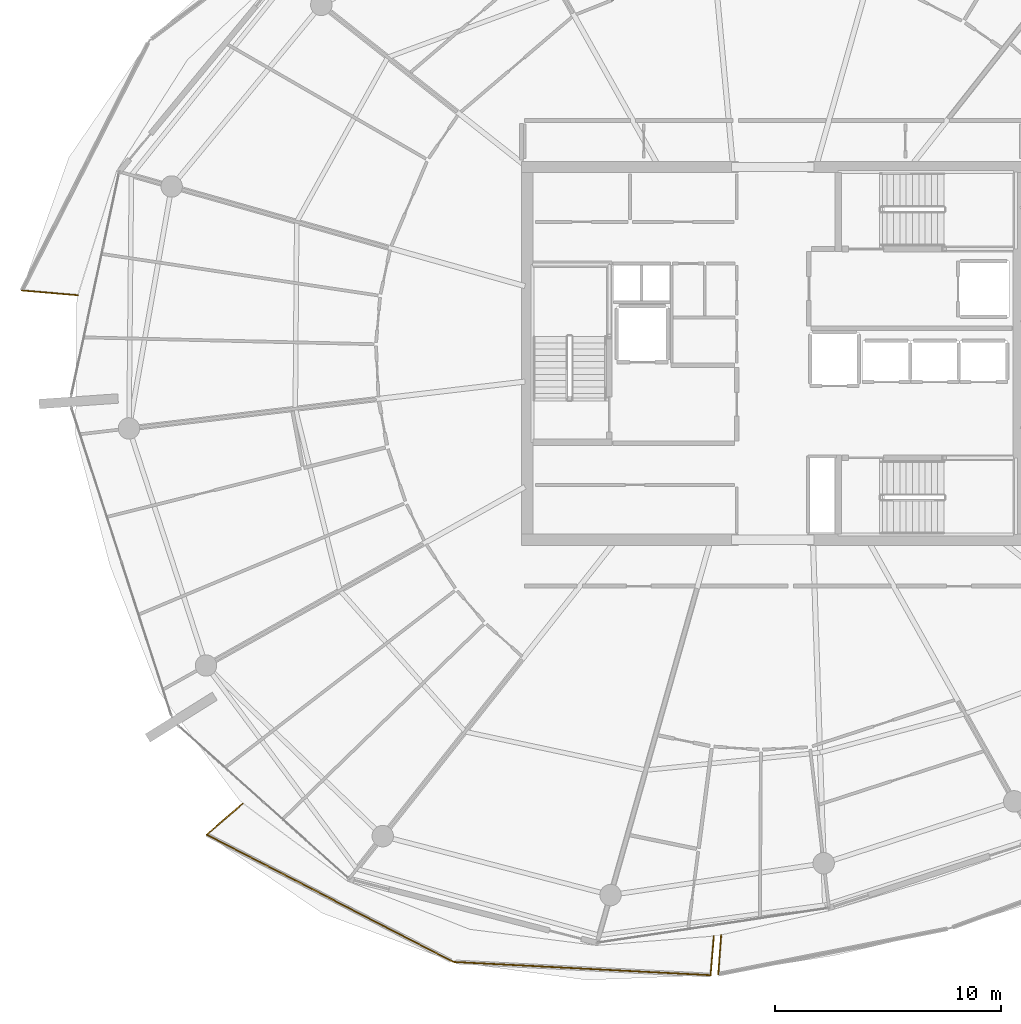
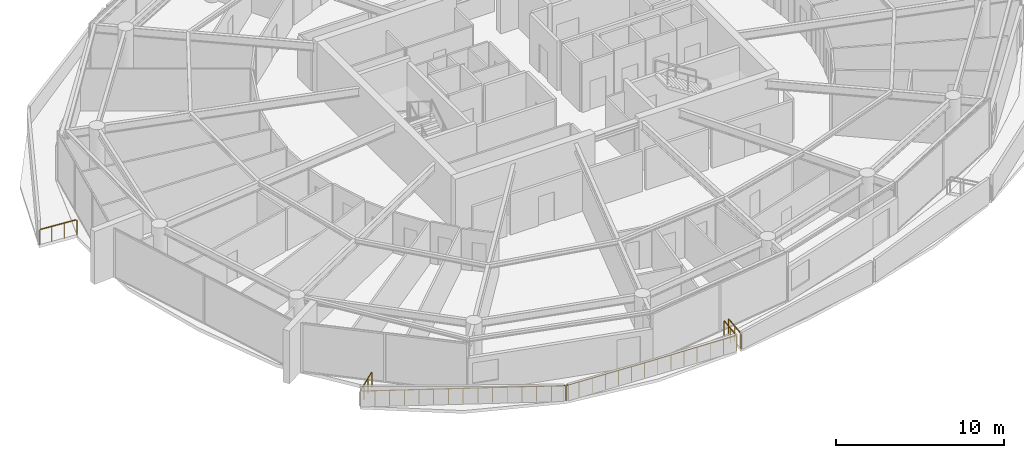
# One storey, part 23 of 29: 6 railings.
"""IFC4 building model written with IfcOpenShell, lengths in metres."""

from ifc_helpers import new_model, si_unit, direction, frame, origin, origin_2d, place, context, subcontext, project, spatial, rectangle, extrude, material, type_object, element, save


model = new_model("IFC4")

# Units and contexts
model_context = context("Model", 3, precision=1e-05, world=origin(), true_north=direction((0.0, 1.0)))
body_context = subcontext(model_context, "Body", "Model", "MODEL_VIEW")
ifc_project = project(units=[si_unit("LENGTHUNIT", "METRE"), si_unit("AREAUNIT", "SQUARE_METRE"), si_unit("VOLUMEUNIT", "CUBIC_METRE"), si_unit("PLANEANGLEUNIT", "RADIAN"), si_unit("MASSUNIT", "GRAM", prefix="KILO")], contexts=[model_context])

# Site, building, storey
site_placement = place(None, origin())
site = spatial("IfcSite", under=ifc_project, at=site_placement, CompositionType="ELEMENT")
building_placement = place(site_placement, origin())
building = spatial("IfcBuilding", under=site, at=building_placement, Name="Kazma Halo Residences", CompositionType="ELEMENT")
storey_placement = place(building_placement, frame((0.0, 0.0, 286.75)))
storey = spatial("IfcBuildingStorey", under=building, at=storey_placement, Name="L72", CompositionType="ELEMENT", Elevation=286.75)

# Railings
ifc_material = material(Name="Aluminium AW-6063 T6 Brushed Cap Rail", Category="aluminium")
railing_type = type_object("IfcRailingType", Name="RLG-BAL-CAP-1120", PredefinedType="BALUSTRADE", material=ifc_material)
railing_1_placement = place(storey_placement, frame((15.177001953125, 44.78515625, 0.0)))
element("IfcRailing", 1, at=railing_1_placement, inside=storey, type_object=railing_type, Name="L72 NW wave balcony guard 4", PredefinedType="BALUSTRADE", context=body_context, shape_type="SweptSolid", body=[
    extrude(rectangle(XDim=0.050048828125, YDim=0.050048828125, at=origin_2d()), frame((0.04248046875, -0.003662109375, 1.09521484375), z_axis=(0.996414964781, -0.084600342552, 0.0), x_axis=(0.084600342552, 0.996414964781, 0.0)), (0.0, 0.0, 1.0), 2.396728515625),
    extrude(rectangle(XDim=0.0400390625, YDim=0.0400390625, at=origin_2d()), origin(), (0.0, 0.0, 1.0), 1.05810546875),
    extrude(rectangle(XDim=0.0400390625, YDim=0.0400390625, at=origin_2d()), frame((0.82421875, -0.070068359375, 0.0)), (0.0, 0.0, 1.0), 1.05810546875),
    extrude(rectangle(XDim=0.0400390625, YDim=0.0400390625, at=origin_2d()), frame((1.648681640625, -0.139892578125, 0.0)), (0.0, 0.0, 1.0), 1.05810546875),
    extrude(rectangle(XDim=0.0400390625, YDim=0.0400390625, at=origin_2d()), frame((2.472900390625, -0.2099609375, 0.0)), (0.0, 0.0, 1.0), 1.05810546875),
])
railing_2_placement = place(storey_placement, frame((24.9599609375, 22.0771484375, 0.0)))
element("IfcRailing", 2, at=railing_2_placement, inside=storey, type_object=railing_type, Name="L72 SW wave balcony guard 1", PredefinedType="BALUSTRADE", context=body_context, shape_type="SweptSolid", body=[
    extrude(rectangle(XDim=0.050048828125, YDim=0.050048828125, at=origin_2d()), frame((-0.0322265625, -0.02783203125, 1.09521484375), z_axis=(-0.756474494399, -0.654023194791, 0.0), x_axis=(0.654023194791, -0.756474494399, 0.0)), (0.0, 0.0, 1.0), 2.0263671875),
    extrude(rectangle(XDim=0.0400390625, YDim=0.0400390625, at=origin_2d()), origin(), (0.0, 0.0, 1.0), 1.05810546875),
    extrude(rectangle(XDim=0.0400390625, YDim=0.0400390625, at=origin_2d()), frame((-0.532470703125, -0.460205078125, 0.0)), (0.0, 0.0, 1.0), 1.05810546875),
    extrude(rectangle(XDim=0.0400390625, YDim=0.0400390625, at=origin_2d()), frame((-1.064697265625, -0.920654296875, 0.0)), (0.0, 0.0, 1.0), 1.05810546875),
    extrude(rectangle(XDim=0.0400390625, YDim=0.0400390625, at=origin_2d()), frame((-1.59716796875, -1.380859375, 0.0)), (0.0, 0.0, 1.0), 1.05810546875),
])
railing_3_placement = place(storey_placement, frame((23.36279296875, 20.6962890625, 0.0)))
element("IfcRailing", 3, at=railing_3_placement, inside=storey, type_object=railing_type, Name="L72 SW wave balcony guard 2", PredefinedType="BALUSTRADE", context=body_context, shape_type="SweptSolid", body=[
    extrude(rectangle(XDim=0.050048828125, YDim=0.050048828125, at=origin_2d()), frame((0.037841796875, -0.01953125, 1.09521484375), z_axis=(0.888587460341, -0.458707232693, 0.0), x_axis=(0.458707232693, 0.888587460341, 0.0)), (0.0, 0.0, 1.0), 12.1953125),
    extrude(rectangle(XDim=0.0400390625, YDim=0.0400390625, at=origin_2d()), origin(), (0.0, 0.0, 1.0), 1.05810546875),
    extrude(rectangle(XDim=0.0400390625, YDim=0.0400390625, at=origin_2d()), frame((0.779541015625, -0.40234375, 0.0)), (0.0, 0.0, 1.0), 1.05810546875),
    extrude(rectangle(XDim=0.0400390625, YDim=0.0400390625, at=origin_2d()), frame((1.558837890625, -0.8046875, 0.0)), (0.0, 0.0, 1.0), 1.05810546875),
    extrude(rectangle(XDim=0.0400390625, YDim=0.0400390625, at=origin_2d()), frame((2.33837890625, -1.20703125, 0.0)), (0.0, 0.0, 1.0), 1.05810546875),
    extrude(rectangle(XDim=0.0400390625, YDim=0.0400390625, at=origin_2d()), frame((3.11767578125, -1.609375, 0.0)), (0.0, 0.0, 1.0), 1.05810546875),
    extrude(rectangle(XDim=0.0400390625, YDim=0.0400390625, at=origin_2d()), frame((3.897216796875, -2.01171875, 0.0)), (0.0, 0.0, 1.0), 1.05810546875),
    extrude(rectangle(XDim=0.0400390625, YDim=0.0400390625, at=origin_2d()), frame((4.676513671875, -2.4140625, 0.0)), (0.0, 0.0, 1.0), 1.05810546875),
    extrude(rectangle(XDim=0.0400390625, YDim=0.0400390625, at=origin_2d()), frame((5.4560546875, -2.81640625, 0.0)), (0.0, 0.0, 1.0), 1.05810546875),
    extrude(rectangle(XDim=0.0400390625, YDim=0.0400390625, at=origin_2d()), frame((6.235595703125, -3.218994140625, 0.0)), (0.0, 0.0, 1.0), 1.05810546875),
    extrude(rectangle(XDim=0.0400390625, YDim=0.0400390625, at=origin_2d()), frame((7.014892578125, -3.621337890625, 0.0)), (0.0, 0.0, 1.0), 1.05810546875),
    extrude(rectangle(XDim=0.0400390625, YDim=0.0400390625, at=origin_2d()), frame((7.79443359375, -4.023681640625, 0.0)), (0.0, 0.0, 1.0), 1.05810546875),
    extrude(rectangle(XDim=0.0400390625, YDim=0.0400390625, at=origin_2d()), frame((8.57373046875, -4.426025390625, 0.0)), (0.0, 0.0, 1.0), 1.05810546875),
    extrude(rectangle(XDim=0.0400390625, YDim=0.0400390625, at=origin_2d()), frame((9.353271484375, -4.828369140625, 0.0)), (0.0, 0.0, 1.0), 1.05810546875),
    extrude(rectangle(XDim=0.0400390625, YDim=0.0400390625, at=origin_2d()), frame((10.132568359375, -5.230712890625, 0.0)), (0.0, 0.0, 1.0), 1.05810546875),
    extrude(rectangle(XDim=0.0400390625, YDim=0.0400390625, at=origin_2d()), frame((10.912109375, -5.633056640625, 0.0)), (0.0, 0.0, 1.0), 1.05810546875),
])
railing_4_placement = place(storey_placement, frame((34.27490234375, 15.063232421875, 0.0)))
element("IfcRailing", 4, at=railing_4_placement, inside=storey, type_object=railing_type, Name="L72 SW wave balcony guard 3", PredefinedType="BALUSTRADE", context=body_context, shape_type="SweptSolid", body=[
    extrude(rectangle(XDim=0.050048828125, YDim=0.050048828125, at=origin_2d()), frame((0.04248046875, -0.002197265625, 1.09521484375), z_axis=(0.998674943088, -0.051462200188, 0.0), x_axis=(0.051462200188, 0.998674943088, 0.0)), (0.0, 0.0, 1.0), 11.319580078125),
    extrude(rectangle(XDim=0.0400390625, YDim=0.0400390625, at=origin_2d()), origin(), (0.0, 0.0, 1.0), 1.05810546875),
    extrude(rectangle(XDim=0.0400390625, YDim=0.0400390625, at=origin_2d()), frame((0.876220703125, -0.045166015625, 0.0)), (0.0, 0.0, 1.0), 1.05810546875),
    extrude(rectangle(XDim=0.0400390625, YDim=0.0400390625, at=origin_2d()), frame((1.752197265625, -0.09033203125, 0.0)), (0.0, 0.0, 1.0), 1.05810546875),
    extrude(rectangle(XDim=0.0400390625, YDim=0.0400390625, at=origin_2d()), frame((2.62841796875, -0.135498046875, 0.0)), (0.0, 0.0, 1.0), 1.05810546875),
    extrude(rectangle(XDim=0.0400390625, YDim=0.0400390625, at=origin_2d()), frame((3.50439453125, -0.1806640625, 0.0)), (0.0, 0.0, 1.0), 1.05810546875),
    extrude(rectangle(XDim=0.0400390625, YDim=0.0400390625, at=origin_2d()), frame((4.380615234375, -0.225830078125, 0.0)), (0.0, 0.0, 1.0), 1.05810546875),
    extrude(rectangle(XDim=0.0400390625, YDim=0.0400390625, at=origin_2d()), frame((5.2568359375, -0.27099609375, 0.0)), (0.0, 0.0, 1.0), 1.05810546875),
    extrude(rectangle(XDim=0.0400390625, YDim=0.0400390625, at=origin_2d()), frame((6.1328125, -0.31591796875, 0.0)), (0.0, 0.0, 1.0), 1.05810546875),
    extrude(rectangle(XDim=0.0400390625, YDim=0.0400390625, at=origin_2d()), frame((7.009033203125, -0.361083984375, 0.0)), (0.0, 0.0, 1.0), 1.05810546875),
    extrude(rectangle(XDim=0.0400390625, YDim=0.0400390625, at=origin_2d()), frame((7.88525390625, -0.40625, 0.0)), (0.0, 0.0, 1.0), 1.05810546875),
    extrude(rectangle(XDim=0.0400390625, YDim=0.0400390625, at=origin_2d()), frame((8.76123046875, -0.451416015625, 0.0)), (0.0, 0.0, 1.0), 1.05810546875),
    extrude(rectangle(XDim=0.0400390625, YDim=0.0400390625, at=origin_2d()), frame((9.637451171875, -0.49658203125, 0.0)), (0.0, 0.0, 1.0), 1.05810546875),
    extrude(rectangle(XDim=0.0400390625, YDim=0.0400390625, at=origin_2d()), frame((10.513427734375, -0.541748046875, 0.0)), (0.0, 0.0, 1.0), 1.05810546875),
    extrude(rectangle(XDim=0.0400390625, YDim=0.0400390625, at=origin_2d()), frame((11.3896484375, -0.5869140625, 0.0)), (0.0, 0.0, 1.0), 1.05810546875),
])
railing_5_placement = place(storey_placement, frame((45.66455078125, 14.476318359375, 0.0)))
element("IfcRailing", 5, at=railing_5_placement, inside=storey, type_object=railing_type, Name="L72 SW wave balcony guard 4", PredefinedType="BALUSTRADE", context=body_context, shape_type="SweptSolid", body=[
    extrude(rectangle(XDim=0.050048828125, YDim=0.050048828125, at=origin_2d()), frame((0.003662109375, 0.04248046875, 1.09521484375), z_axis=(0.084535390585, 0.996420477378, 0.0), x_axis=(-0.996420477378, 0.084535390585, 0.0)), (0.0, 0.0, 1.0), 1.650634765625),
    extrude(rectangle(XDim=0.0400390625, YDim=0.0400390625, at=origin_2d()), origin(), (0.0, 0.0, 1.0), 1.05810546875),
    extrude(rectangle(XDim=0.0400390625, YDim=0.0400390625, at=origin_2d()), frame((0.0732421875, 0.86474609375, 0.0)), (0.0, 0.0, 1.0), 1.05810546875),
    extrude(rectangle(XDim=0.0400390625, YDim=0.0400390625, at=origin_2d()), frame((0.146728515625, 1.7294921875, 0.0)), (0.0, 0.0, 1.0), 1.05810546875),
])
railing_6_placement = place(storey_placement, frame((46.1318359375, 16.25390625, 0.0)))
element("IfcRailing", 6, at=railing_6_placement, inside=storey, type_object=railing_type, Name="L72 SSE wave balcony guard 1", PredefinedType="BALUSTRADE", context=body_context, shape_type="SweptSolid", body=[
    extrude(rectangle(XDim=0.050048828125, YDim=0.050048828125, at=origin_2d()), frame((-0.003173828125, -0.04248046875, 1.09521484375), z_axis=(-0.072350928263, -0.997379237391, 0.0), x_axis=(0.997379237391, -0.072350928263, 0.0)), (0.0, 0.0, 1.0), 1.659423828125),
    extrude(rectangle(XDim=0.0400390625, YDim=0.0400390625, at=origin_2d()), origin(), (0.0, 0.0, 1.0), 1.05810546875),
    extrude(rectangle(XDim=0.0400390625, YDim=0.0400390625, at=origin_2d()), frame((-0.06298828125, -0.8701171875, 0.0)), (0.0, 0.0, 1.0), 1.05810546875),
    extrude(rectangle(XDim=0.0400390625, YDim=0.0400390625, at=origin_2d()), frame((-0.126220703125, -1.739990234375, 0.0)), (0.0, 0.0, 1.0), 1.05810546875),
])

save(model, "model.ifc")
